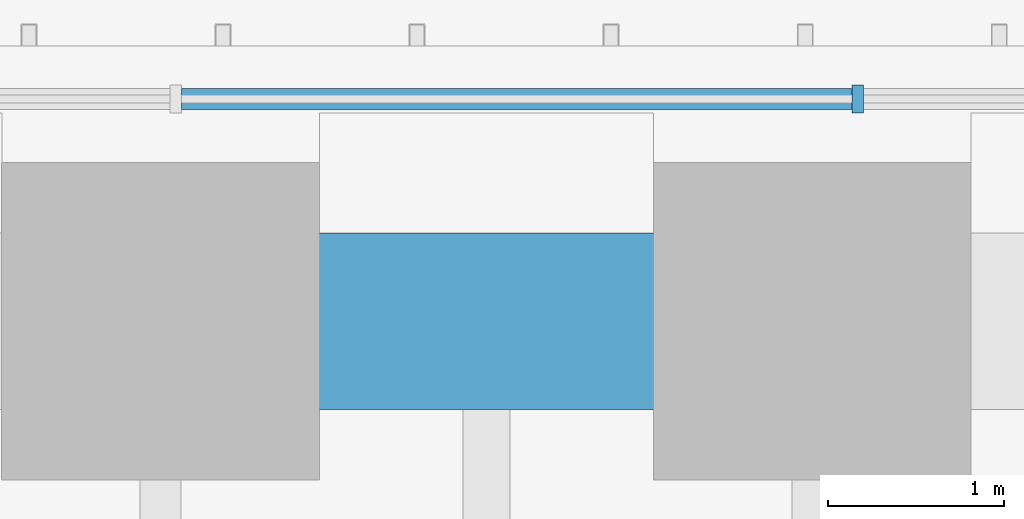
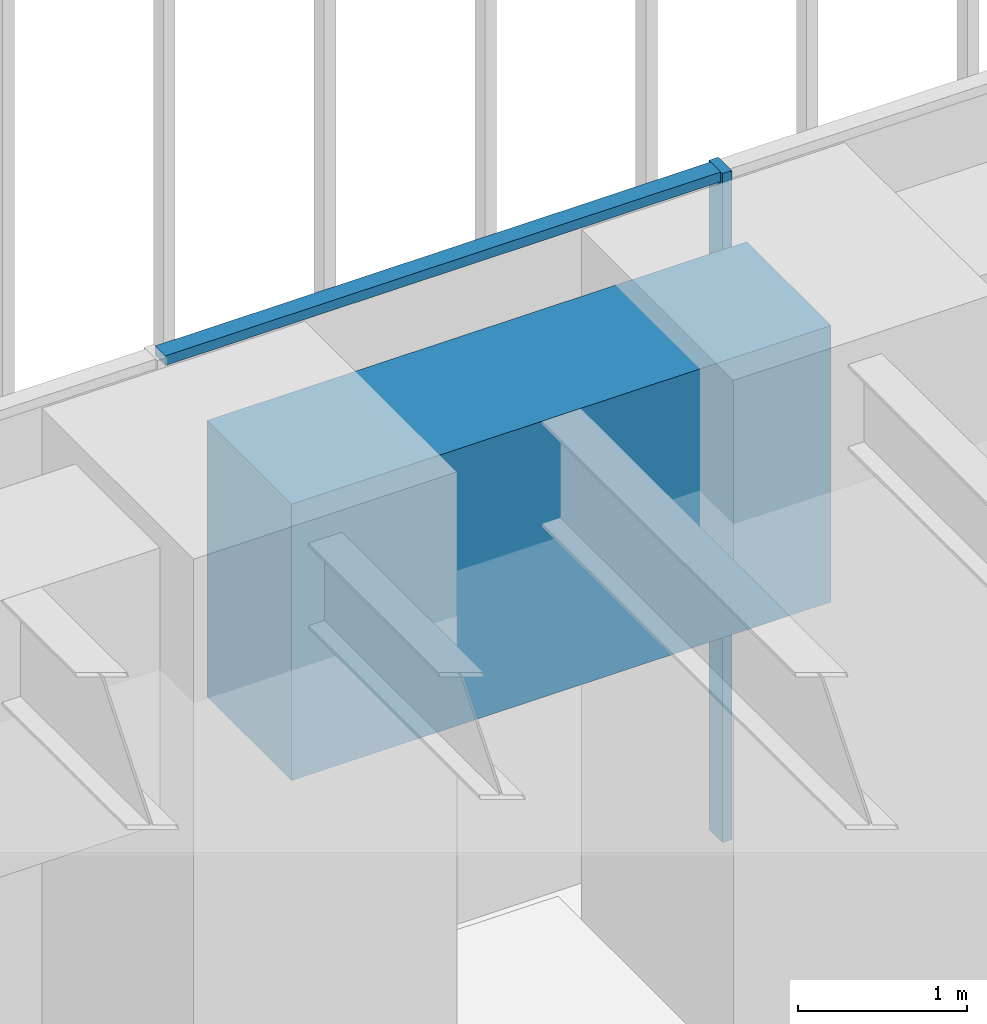
# One storey, part 200 of 228: 2 members, 1 beam, 1 element without a shape of its own.
"""IFC4 building model written with IfcOpenShell, lengths in metres."""

from ifc_helpers import new_model, si_unit, direction, frame, origin, origin_2d, place, context, subcontext, project, spatial, rectangle, extrude, material, material_profile, profile_set, type_object, element, aggregate, save


model = new_model("IFC4")

# Units and contexts
model_context = context("Model", 3, precision=1e-05, world=origin(), true_north=direction((0.0, 1.0)))
body_context = subcontext(model_context, "Body", "Model", "MODEL_VIEW")
ifc_project = project(units=[si_unit("LENGTHUNIT", "METRE"), si_unit("AREAUNIT", "SQUARE_METRE"), si_unit("VOLUMEUNIT", "CUBIC_METRE"), si_unit("PLANEANGLEUNIT", "RADIAN"), si_unit("MASSUNIT", "GRAM", prefix="KILO")], contexts=[model_context])

# Site, building, storey
site_placement = place(None, origin())
site = spatial("IfcSite", under=ifc_project, at=site_placement, CompositionType="ELEMENT")
building_placement = place(site_placement, origin())
building = spatial("IfcBuilding", under=site, at=building_placement, Name="Sandreach Pilgrim Tower", CompositionType="ELEMENT")
storey_placement = place(building_placement, frame((0.0, 0.0, 178.199951171875)))
storey = spatial("IfcBuildingStorey", under=building, at=storey_placement, Name="L44", CompositionType="ELEMENT", Elevation=178.199951171875)

# Curtain wall, members
ifc_material_1 = material(Name="Aluminium framed curtain wall", Category="aluminium")
curtain_wall_type = type_object("IfcCurtainWallType", Name="Upper hotel tower curtain wall", PredefinedType="NOTDEFINED", material=ifc_material_1)
curtain_wall_placement = place(storey_placement, origin())
curtain_wall = element("IfcCurtainWall", 1, at=curtain_wall_placement, inside=storey, type_object=curtain_wall_type, Name="CW-3 L44 N", PredefinedType="NOTDEFINED")
ifc_material_2 = material(Name="Aluminium extrusion", Category="aluminium")
ifc_material_profile_1 = material_profile(ifc_material_2, rectangle(XDim=0.06494140625, YDim=0.159912109375, at=origin_2d()), Name="CW-3M 65X160")
ifc_profile_set_1 = profile_set([ifc_material_profile_1], Name="Aluminium extrusion")
member_type_1 = type_object("IfcMemberType", Name="CW-3 mullion", PredefinedType="MULLION", material=ifc_profile_set_1)
member_1_placement = place(storey_placement, frame((5.796630859375, 21.16015625, 0.0), z_axis=(0.0, 0.0, 1.0), x_axis=(1.0, 0.0, 0.0)))
member_1 = element("IfcMember", 2, at=member_1_placement, type_object=member_type_1, Name="CW-3 mullion 7", PredefinedType="MULLION", context=body_context, shape_type="SweptSolid", body=[
    extrude(rectangle(XDim=0.06494140625, YDim=0.159912109375, at=origin_2d()), origin(), (0.0, 0.0, 1.0), 4.840087890625),
])
ifc_material_3 = material(Name="Aluminium extrusion", Category="aluminium")
ifc_material_profile_2 = material_profile(ifc_material_3, rectangle(XDim=0.1201171875, YDim=0.070068359375, at=origin_2d()), Name="CW-3T 120X70")
ifc_profile_set_2 = profile_set([ifc_material_profile_2], Name="Aluminium extrusion")
member_type_2 = type_object("IfcMemberType", Name="CW-3 transom", PredefinedType="USERDEFINED", material=ifc_profile_set_2)
member_2_placement = place(storey_placement, frame((1.964599609375, 21.16015625, 4.804931640625), z_axis=(1.0, 0.0, 0.0), x_axis=(0.0, 1.0, 0.0)))
member_2 = element("IfcMember", 3, at=member_2_placement, type_object=member_type_2, Name="CW-3 head transom 6", ObjectType="TRANSOM", PredefinedType="USERDEFINED", context=body_context, shape_type="SweptSolid", body=[
    extrude(rectangle(XDim=0.1201171875, YDim=0.070068359375, at=origin_2d()), origin(), (0.0, 0.0, 1.0), 3.799560546875),
])
aggregate(curtain_wall, [member_1, member_2])

# Beam
ifc_material_4 = material(Name="Concrete 10000 psi", Category="concrete")
ifc_material_profile_3 = material_profile(ifc_material_4, rectangle(XDim=1.0, YDim=2.0, at=origin_2d()), Name="RC1000X2000")
ifc_profile_set_3 = profile_set([ifc_material_profile_3], Name="Concrete 10000 psi")
beam_type = type_object("IfcBeamType", Name="Spandrel beam RC1000X2000", PredefinedType="SPANDREL", material=ifc_profile_set_3)
beam_placement = place(storey_placement, frame((1.84619140625, 19.900146484375, 3.840087890625), z_axis=(1.0, 0.0, 0.0), x_axis=(0.0, 1.0, 0.0)))
element("IfcBeam", 4, at=beam_placement, inside=storey, type_object=beam_type, Name="BM L44 SP05", PredefinedType="SPANDREL", context=body_context, shape_type="SweptSolid", body=[
    extrude(rectangle(XDim=1.0, YDim=2.0, at=origin_2d()), origin(), (0.0, 0.0, 1.0), 3.692626953125),
])

save(model, "model.ifc")
